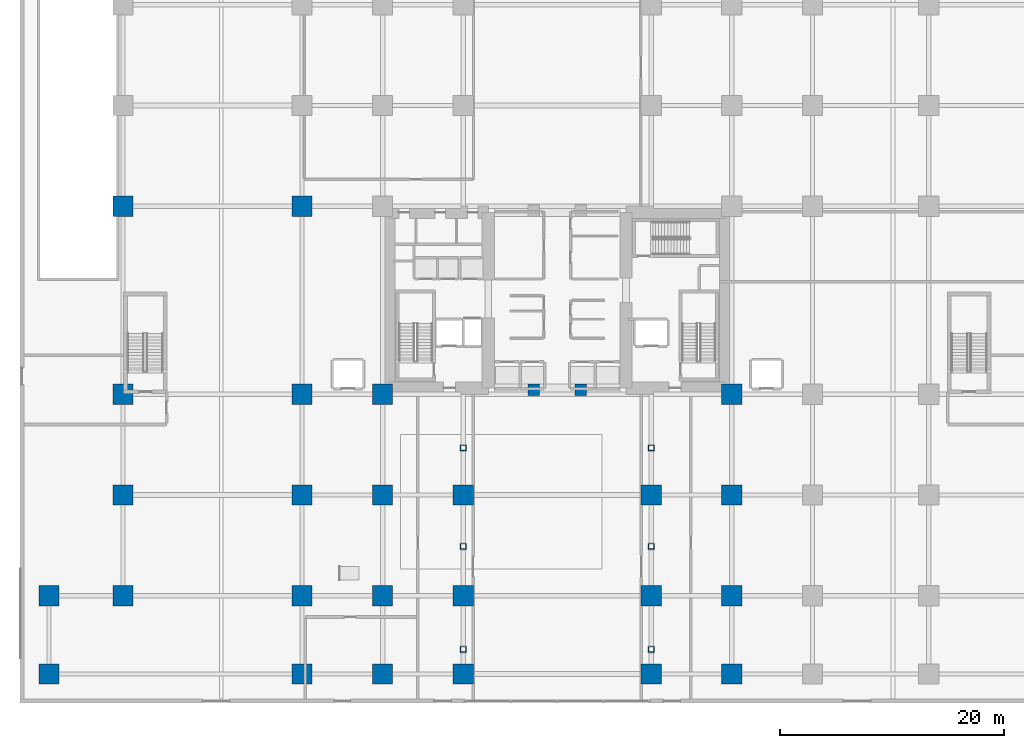
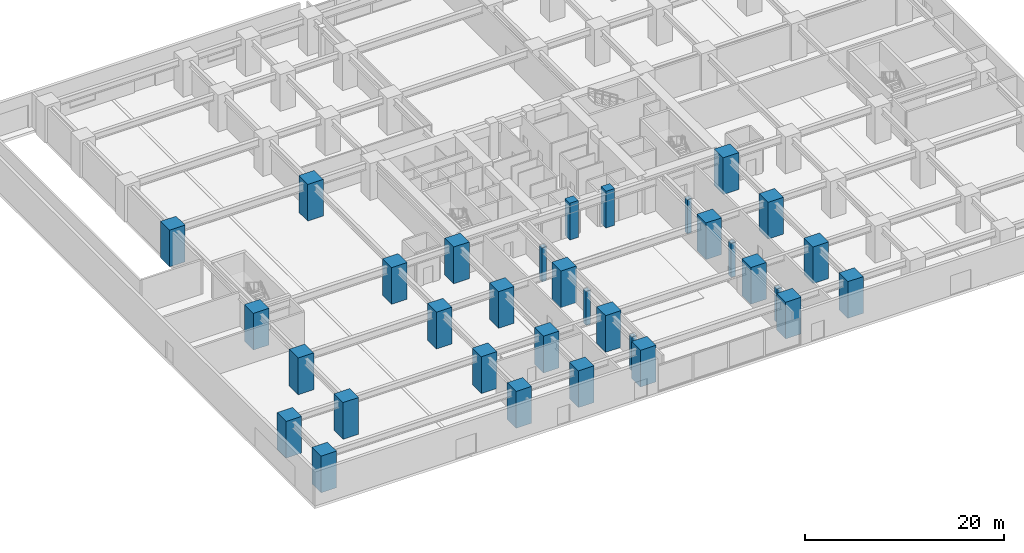
# One storey, part 1 of 26: 33 columns.
"""IFC4 building model written with IfcOpenShell, lengths in metres."""

from ifc_helpers import new_model, si_unit, direction, frame, origin, origin_2d, place, context, subcontext, project, spatial, rectangle, hollow_rectangle, extrude, material, material_profile, profile_set, type_object, element, save


model = new_model("IFC4")

# Units and contexts
model_context = context("Model", 3, precision=1e-05, world=origin(), true_north=direction((0.0, 1.0)))
body_context = subcontext(model_context, "Body", "Model", "MODEL_VIEW")
ifc_project = project(units=[si_unit("LENGTHUNIT", "METRE"), si_unit("AREAUNIT", "SQUARE_METRE"), si_unit("VOLUMEUNIT", "CUBIC_METRE"), si_unit("PLANEANGLEUNIT", "RADIAN"), si_unit("MASSUNIT", "GRAM", prefix="KILO")], contexts=[model_context])

# Site, building, storey
site_placement = place(None, origin())
site = spatial("IfcSite", under=ifc_project, at=site_placement, CompositionType="ELEMENT")
building_placement = place(site_placement, origin())
building = spatial("IfcBuilding", under=site, at=building_placement, Name="Kiyonajd Concourse Tower", CompositionType="ELEMENT")
storey_placement = place(building_placement, origin())
storey = spatial("IfcBuildingStorey", under=building, at=storey_placement, Name="L01", CompositionType="ELEMENT", Elevation=0.0)

# Columns
ifc_material_1 = material(Name="Concrete C80/95", Category="concrete")
ifc_material_profile_1 = material_profile(ifc_material_1, rectangle(XDim=1.800048828125, YDim=1.800048828125, at=origin_2d()), Name="RC-1800x1800")
ifc_profile_set_1 = profile_set([ifc_material_profile_1], Name="Concrete C80/95")
column_type_1 = type_object("IfcColumnType", Name="CL-MEGA-1800", PredefinedType="COLUMN", material=ifc_profile_set_1)
for number, where, z_axis, x_axis, name in (
    (1, (2.60009765625, 2.60009765625, 0.0), (0.0, 0.0, 1.0), (1.0, 0.0, 0.0), "L01 Podium Mega Column"),
    (2, (2.60009765625, 9.60009765625, 0.0), (0.0, 0.0, 1.0), (1.0, 0.0, 0.0), "L01 Podium Mega Column"),
    (3, (9.199951171875, 9.60009765625, 0.0), (0.0, 0.0, 1.0), (1.0, 0.0, 0.0), "L01 Podium Mega Column"),
    (4, (9.199951171875, 18.60009765625, 0.0), (0.0, 0.0, 1.0), (1.0, 0.0, 0.0), "L01 Podium Mega Column"),
    (5, (9.199951171875, 27.60009765625, 0.0), (0.0, 0.0, 1.0), (1.0, 0.0, 0.0), "L01 Podium Mega Column"),
    (6, (9.199951171875, 44.39990234375, 0.0), (0.0, 0.0, 1.0), (1.0, 0.0, 0.0), "L01 Podium Mega Column"),
    (7, (25.199951171875, 2.60009765625, 0.0), (0.0, 0.0, 1.0), (1.0, 0.0, 0.0), "L01 Podium Mega Column"),
    (8, (25.199951171875, 9.60009765625, 0.0), (0.0, 0.0, 1.0), (1.0, 0.0, 0.0), "L01 Podium Mega Column"),
    (9, (25.199951171875, 18.60009765625, 0.0), (0.0, 0.0, 1.0), (1.0, 0.0, 0.0), "L01 Podium Mega Column"),
    (10, (25.199951171875, 27.60009765625, 0.0), (0.0, 0.0, 1.0), (1.0, 0.0, 0.0), "L01 Podium Mega Column"),
    (11, (25.199951171875, 44.39990234375, 0.0), (0.0, 0.0, 1.0), (1.0, 0.0, 0.0), "L01 Podium Mega Column"),
    (12, (32.39990234375, 2.60009765625, 0.0), (0.0, 0.0, 1.0), (1.0, 0.0, 0.0), "L01 Podium Mega Column"),
    (13, (32.39990234375, 9.60009765625, 0.0), (0.0, 0.0, 1.0), (1.0, 0.0, 0.0), "L01 Podium Mega Column"),
    (14, (32.39990234375, 18.60009765625, 0.0), (0.0, 0.0, 1.0), (1.0, 0.0, 0.0), "L01 Podium Mega Column"),
    (15, (32.39990234375, 27.60009765625, 0.0), (0.0, 0.0, 1.0), (1.0, 0.0, 0.0), "L01 Podium Mega Column"),
    (16, (39.60009765625, 2.60009765625, 0.0), (0.0, 0.0, 1.0), (1.0, 0.0, 0.0), "L01 Podium Mega Column"),
    (17, (39.60009765625, 9.60009765625, 0.0), (0.0, 0.0, 1.0), (1.0, 0.0, 0.0), "L01 Podium Mega Column"),
    (18, (39.60009765625, 18.60009765625, 0.0), (0.0, 0.0, 1.0), (1.0, 0.0, 0.0), "L01 Podium Mega Column"),
    (19, (56.39990234375, 2.60009765625, 0.0), (0.0, 0.0, 1.0), (1.0, 0.0, 0.0), "L01 Podium Mega Column"),
    (20, (56.39990234375, 9.60009765625, 0.0), (0.0, 0.0, 1.0), (1.0, 0.0, 0.0), "L01 Podium Mega Column"),
    (21, (56.39990234375, 18.60009765625, 0.0), (0.0, 0.0, 1.0), (1.0, 0.0, 0.0), "L01 Podium Mega Column"),
    (22, (63.60009765625, 2.60009765625, 0.0), (0.0, 0.0, 1.0), (1.0, 0.0, 0.0), "L01 Podium Mega Column"),
    (23, (63.60009765625, 9.60009765625, 0.0), (0.0, 0.0, 1.0), (1.0, 0.0, 0.0), "L01 Podium Mega Column"),
    (24, (63.60009765625, 18.60009765625, 0.0), (0.0, 0.0, 1.0), (1.0, 0.0, 0.0), "L01 Podium Mega Column"),
    (25, (63.60009765625, 27.60009765625, 0.0), (0.0, 0.0, 1.0), (1.0, 0.0, 0.0), "L01 Podium Mega Column"),
):
    element("IfcColumn", number, at=place(storey_placement, frame(where, z_axis=z_axis, x_axis=x_axis)), inside=storey, type_object=column_type_1, Name=name, PredefinedType="COLUMN", context=body_context, shape_type="SweptSolid", body=[
        extrude(rectangle(XDim=1.800048828125, YDim=1.800048828125, at=origin_2d()), origin(), (0.0, 0.0, 1.0), 4.5),
    ])
ifc_material_2 = material(Name="Steel ASTM A572 Grade 50", Category="steel")
ifc_material_profile_2 = material_profile(ifc_material_2, hollow_rectangle(XDim=0.5, YDim=0.5, WallThickness=0.02490234375, at=origin_2d()), Name="HSS-500x500x25")
ifc_profile_set_2 = profile_set([ifc_material_profile_2], Name="Steel ASTM A572 Grade 50")
column_type_2 = type_object("IfcColumnType", Name="CL-PIL-600", PredefinedType="PILASTER", material=ifc_profile_set_2)
for number, where, z_axis, x_axis, name in (
    (26, (39.60009765625, 4.800048828125, 0.0), (0.0, 0.0, 1.0), (1.0, 0.0, 0.0), "L01 Concourse Facade Pilaster Column"),
    (27, (39.60009765625, 14.0, 0.0), (0.0, 0.0, 1.0), (1.0, 0.0, 0.0), "L01 Concourse Facade Pilaster Column"),
    (28, (39.60009765625, 22.800048828125, 0.0), (0.0, 0.0, 1.0), (1.0, 0.0, 0.0), "L01 Concourse Facade Pilaster Column"),
    (29, (56.39990234375, 4.800048828125, 0.0), (0.0, 0.0, 1.0), (1.0, 0.0, 0.0), "L01 Concourse Facade Pilaster Column"),
    (30, (56.39990234375, 14.0, 0.0), (0.0, 0.0, 1.0), (1.0, 0.0, 0.0), "L01 Concourse Facade Pilaster Column"),
    (31, (56.39990234375, 22.800048828125, 0.0), (0.0, 0.0, 1.0), (1.0, 0.0, 0.0), "L01 Concourse Facade Pilaster Column"),
):
    element("IfcColumn", number, at=place(storey_placement, frame(where, z_axis=z_axis, x_axis=x_axis)), inside=storey, type_object=column_type_2, Name=name, PredefinedType="PILASTER", context=body_context, shape_type="SweptSolid", body=[
        extrude(hollow_rectangle(XDim=0.5, YDim=0.5, WallThickness=0.02490234375, at=origin_2d()), origin(), (0.0, 0.0, 1.0), 4.179931640625),
    ])
ifc_material_3 = material(Name="Concrete C60/75", Category="concrete")
ifc_material_profile_3 = material_profile(ifc_material_3, rectangle(XDim=1.0, YDim=1.0, at=origin_2d()), Name="RC-1000x1000")
ifc_profile_set_3 = profile_set([ifc_material_profile_3], Name="Concrete C60/75")
column_type_3 = type_object("IfcColumnType", Name="CL-TUBE-1000", PredefinedType="COLUMN", material=ifc_profile_set_3)
for number, where, z_axis, x_axis, name in (
    (32, (45.89990234375, 28.0, 0.0), (0.0, 0.0, 1.0), (1.0, 0.0, 0.0), "L01 Core Tie Column South West"),
    (33, (50.10009765625, 28.0, 0.0), (0.0, 0.0, 1.0), (1.0, 0.0, 0.0), "L01 Core Tie Column South East"),
):
    element("IfcColumn", number, at=place(storey_placement, frame(where, z_axis=z_axis, x_axis=x_axis)), inside=storey, type_object=column_type_3, Name=name, PredefinedType="COLUMN", context=body_context, shape_type="SweptSolid", body=[
        extrude(rectangle(XDim=1.0, YDim=1.0, at=origin_2d()), origin(), (0.0, 0.0, 1.0), 4.5),
    ])

save(model, "model.ifc")
